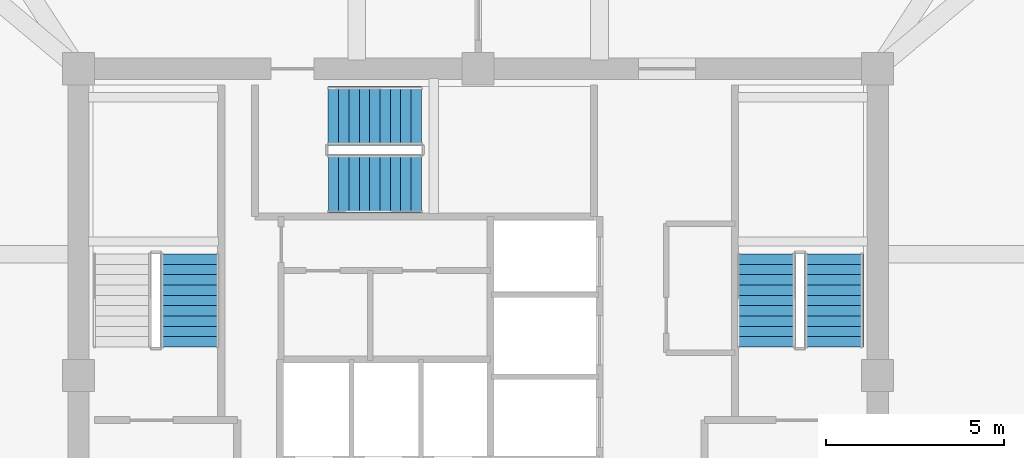
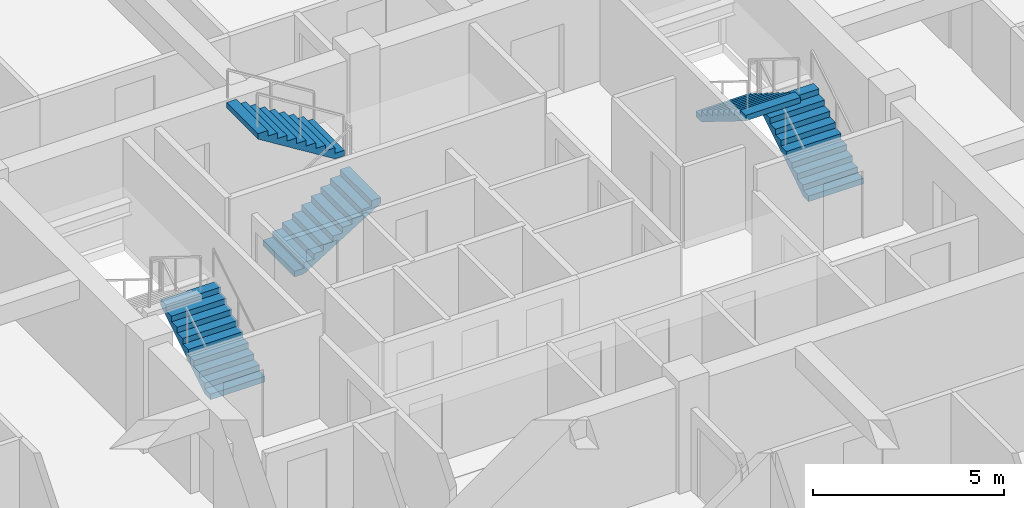
# One storey, part 12 of 14: 5 stair flights, 3 elements without a shape of their own.
"""IFC4 building model written with IfcOpenShell, lengths in metres."""

from ifc_helpers import new_model, si_unit, derived_unit, direction, frame, origin, place, context, subcontext, project, spatial, polyline, outline, extrude, material, type_object, element, aggregate, save


model = new_model("IFC4")

# Units and contexts
model_context = context("Model", 3, precision=1e-05, world=origin(), true_north=direction((0.0, 1.0)))
body_context = subcontext(model_context, "Body", "Model", "MODEL_VIEW")
ifc_project = project(units=[si_unit("LENGTHUNIT", "METRE"), si_unit("AREAUNIT", "SQUARE_METRE"), si_unit("VOLUMEUNIT", "CUBIC_METRE"), si_unit("PLANEANGLEUNIT", "RADIAN"), si_unit("MASSUNIT", "GRAM", prefix="KILO"), derived_unit("THERMALTRANSMITTANCEUNIT", [(si_unit("POWERUNIT", "WATT"), 1), (si_unit("LENGTHUNIT", "METRE"), -2), (si_unit("THERMODYNAMICTEMPERATUREUNIT", "KELVIN"), -1)])], contexts=[model_context])

# Site, building, storey
site_placement = place(None, origin())
site = spatial("IfcSite", under=ifc_project, at=site_placement, CompositionType="ELEMENT")
building_placement = place(site_placement, origin())
building = spatial("IfcBuilding", under=site, at=building_placement, Name="Koralith Skygarden Medical Center", CompositionType="ELEMENT")
storey_placement = place(building_placement, frame((0.0, 0.0, 225.179931640625)))
storey = spatial("IfcBuildingStorey", under=building, at=storey_placement, Name="L58", CompositionType="ELEMENT", Elevation=225.179931640625)

# Stair, stair flight
ifc_material = material(Name="Concrete C45/55", Category="concrete")
stair_type = type_object("IfcStairType", Name="Core Exit Dogleg Concrete Stair", PredefinedType="HALF_TURN_STAIR", material=ifc_material)
stair_1_placement = place(storey_placement, origin())
stair_1 = element("IfcStair", 1, at=stair_1_placement, inside=storey, type_object=stair_type, Name="L58 Smokeproof Exit Stair ST1", PredefinedType="HALF_TURN_STAIR")
stair_flight_type = type_object("IfcStairFlightType", Name="Core Exit Concrete Stair Flight 1650", PredefinedType="STRAIGHT", material=ifc_material)
stair_flight_1_placement = place(storey_placement, frame((28.925048828125, 26.699951171875, 0.0), z_axis=(0.0, 0.0, 1.0), x_axis=(0.0, 1.0, 0.0)))
stair_flight_1 = element("IfcStairFlight", 2, at=stair_flight_1_placement, type_object=stair_flight_type, Name="ST1 flight 1", NumberOfRisers=10, NumberOfTreads=9, PredefinedType="STRAIGHT", RiserHeight=0.18, TreadLength=0.29, context=body_context, shape_type="SweptSolid", body=[
    extrude(outline(polyline([(0.0, 0.0), (0.0, 0.179931640625), (0.2900390625, 0.179931640625), (0.2900390625, 0.360107421875), (0.580078125, 0.360107421875), (0.580078125, 0.5400390625), (0.8701171875, 0.5400390625), (0.8701171875, 0.719970703125), (1.159912109375, 0.719970703125), (1.159912109375, 0.89990234375), (1.449951171875, 0.89990234375), (1.449951171875, 1.080078125), (1.739990234375, 1.080078125), (1.739990234375, 1.260009765625), (2.030029296875, 1.260009765625), (2.030029296875, 1.43994140625), (2.320068359375, 1.43994140625), (2.320068359375, 1.6201171875), (2.610107421875, 1.6201171875), (2.610107421875, 1.800048828125), (2.610107421875, 1.443603515625), (0.2841796875, 0.0), (0.0, 0.0)])), frame((0.0, 0.824951171875, 0.0), z_axis=(0.0, -1.0, 0.0), x_axis=(1.0, 0.0, 0.0)), (0.0, 0.0, 1.0), 1.64990234375),
])
aggregate(stair_1, [stair_flight_1])

# Stair, stair flights
stair_2_placement = place(storey_placement, origin())
stair_2 = element("IfcStair", 3, at=stair_2_placement, inside=storey, type_object=stair_type, Name="L58 Smokeproof Exit Stair ST2", PredefinedType="HALF_TURN_STAIR")
stair_flight_2_placement = place(storey_placement, frame((46.97509765625, 26.699951171875, 0.0), z_axis=(0.0, 0.0, 1.0), x_axis=(0.0, 1.0, 0.0)))
stair_flight_2 = element("IfcStairFlight", 4, at=stair_flight_2_placement, type_object=stair_flight_type, Name="ST2 flight 1", NumberOfRisers=10, NumberOfTreads=9, PredefinedType="STRAIGHT", RiserHeight=0.18, TreadLength=0.29, context=body_context, shape_type="SweptSolid", body=[
    extrude(outline(polyline([(0.0, 0.0), (0.0, 0.179931640625), (0.2900390625, 0.179931640625), (0.2900390625, 0.360107421875), (0.580078125, 0.360107421875), (0.580078125, 0.5400390625), (0.8701171875, 0.5400390625), (0.8701171875, 0.719970703125), (1.159912109375, 0.719970703125), (1.159912109375, 0.89990234375), (1.449951171875, 0.89990234375), (1.449951171875, 1.080078125), (1.739990234375, 1.080078125), (1.739990234375, 1.260009765625), (2.030029296875, 1.260009765625), (2.030029296875, 1.43994140625), (2.320068359375, 1.43994140625), (2.320068359375, 1.6201171875), (2.610107421875, 1.6201171875), (2.610107421875, 1.800048828125), (2.610107421875, 1.443603515625), (0.2841796875, 0.0), (0.0, 0.0)])), frame((0.0, 0.824951171875, 0.0), z_axis=(0.0, -1.0, 0.0), x_axis=(1.0, 0.0, 0.0)), (0.0, 0.0, 1.0), 1.64990234375),
])
stair_flight_3_placement = place(storey_placement, frame((45.074951171875, 29.31005859375, 1.800048828125), z_axis=(0.0, 0.0, 1.0), x_axis=(0.0, -1.0, 0.0)))
stair_flight_3 = element("IfcStairFlight", 5, at=stair_flight_3_placement, type_object=stair_flight_type, Name="ST2 flight 2", NumberOfRisers=10, NumberOfTreads=9, PredefinedType="STRAIGHT", RiserHeight=0.18, TreadLength=0.29, context=body_context, shape_type="SweptSolid", body=[
    extrude(outline(polyline([(0.0, 0.0), (0.0, 0.179931640625), (0.2900390625, 0.179931640625), (0.2900390625, 0.360107421875), (0.580078125, 0.360107421875), (0.580078125, 0.5400390625), (0.8701171875, 0.5400390625), (0.8701171875, 0.719970703125), (1.159912109375, 0.719970703125), (1.159912109375, 0.89990234375), (1.449951171875, 0.89990234375), (1.449951171875, 1.080078125), (1.739990234375, 1.080078125), (1.739990234375, 1.260009765625), (2.030029296875, 1.260009765625), (2.030029296875, 1.43994140625), (2.320068359375, 1.43994140625), (2.320068359375, 1.6201171875), (2.610107421875, 1.6201171875), (2.610107421875, 1.800048828125), (2.610107421875, 1.443603515625), (0.2841796875, 0.0), (0.0, 0.0)])), frame((0.0, 0.824951171875, 0.0), z_axis=(0.0, -1.0, 0.0), x_axis=(1.0, 0.0, 0.0)), (0.0, 0.0, 1.0), 1.64990234375),
])
aggregate(stair_2, [stair_flight_2, stair_flight_3])

stair_3_placement = place(storey_placement, origin())
stair_3 = element("IfcStair", 6, at=stair_3_placement, inside=storey, type_object=stair_type, Name="L58 Smokeproof Exit Stair ST3", PredefinedType="HALF_TURN_STAIR")
stair_flight_4_placement = place(storey_placement, frame((32.800048828125, 31.27490234375, 0.0), z_axis=(0.0, 0.0, 1.0), x_axis=(1.0, 0.0, 0.0)))
stair_flight_4 = element("IfcStairFlight", 7, at=stair_flight_4_placement, type_object=stair_flight_type, Name="ST3 flight 1", NumberOfRisers=10, NumberOfTreads=9, PredefinedType="STRAIGHT", RiserHeight=0.18, TreadLength=0.29, context=body_context, shape_type="SweptSolid", body=[
    extrude(outline(polyline([(0.0, 0.0), (0.0, 0.179931640625), (0.2900390625, 0.179931640625), (0.2900390625, 0.360107421875), (0.580078125, 0.360107421875), (0.580078125, 0.5400390625), (0.8701171875, 0.5400390625), (0.8701171875, 0.719970703125), (1.159912109375, 0.719970703125), (1.159912109375, 0.89990234375), (1.449951171875, 0.89990234375), (1.449951171875, 1.080078125), (1.739990234375, 1.080078125), (1.739990234375, 1.260009765625), (2.030029296875, 1.260009765625), (2.030029296875, 1.43994140625), (2.320068359375, 1.43994140625), (2.320068359375, 1.6201171875), (2.610107421875, 1.6201171875), (2.610107421875, 1.800048828125), (2.610107421875, 1.443603515625), (0.2841796875, 0.0), (0.0, 0.0)])), frame((0.0, 0.824951171875, 0.0), z_axis=(0.0, -1.0, 0.0), x_axis=(1.0, 0.0, 0.0)), (0.0, 0.0, 1.0), 1.64990234375),
])
stair_flight_5_placement = place(storey_placement, frame((35.409912109375, 33.175048828125, 1.800048828125), z_axis=(0.0, 0.0, 1.0), x_axis=(-1.0, 0.0, 0.0)))
stair_flight_5 = element("IfcStairFlight", 8, at=stair_flight_5_placement, type_object=stair_flight_type, Name="ST3 flight 2", NumberOfRisers=10, NumberOfTreads=9, PredefinedType="STRAIGHT", RiserHeight=0.18, TreadLength=0.29, context=body_context, shape_type="SweptSolid", body=[
    extrude(outline(polyline([(0.0, 0.0), (0.0, 0.179931640625), (0.2900390625, 0.179931640625), (0.2900390625, 0.360107421875), (0.580078125, 0.360107421875), (0.580078125, 0.5400390625), (0.8701171875, 0.5400390625), (0.8701171875, 0.719970703125), (1.159912109375, 0.719970703125), (1.159912109375, 0.89990234375), (1.449951171875, 0.89990234375), (1.449951171875, 1.080078125), (1.739990234375, 1.080078125), (1.739990234375, 1.260009765625), (2.030029296875, 1.260009765625), (2.030029296875, 1.43994140625), (2.320068359375, 1.43994140625), (2.320068359375, 1.6201171875), (2.610107421875, 1.6201171875), (2.610107421875, 1.800048828125), (2.610107421875, 1.443603515625), (0.2841796875, 0.0), (0.0, 0.0)])), frame((0.0, 0.824951171875, 0.0), z_axis=(0.0, -1.0, 0.0), x_axis=(1.0, 0.0, 0.0)), (0.0, 0.0, 1.0), 1.64990234375),
])
aggregate(stair_3, [stair_flight_4, stair_flight_5])

save(model, "model.ifc")
